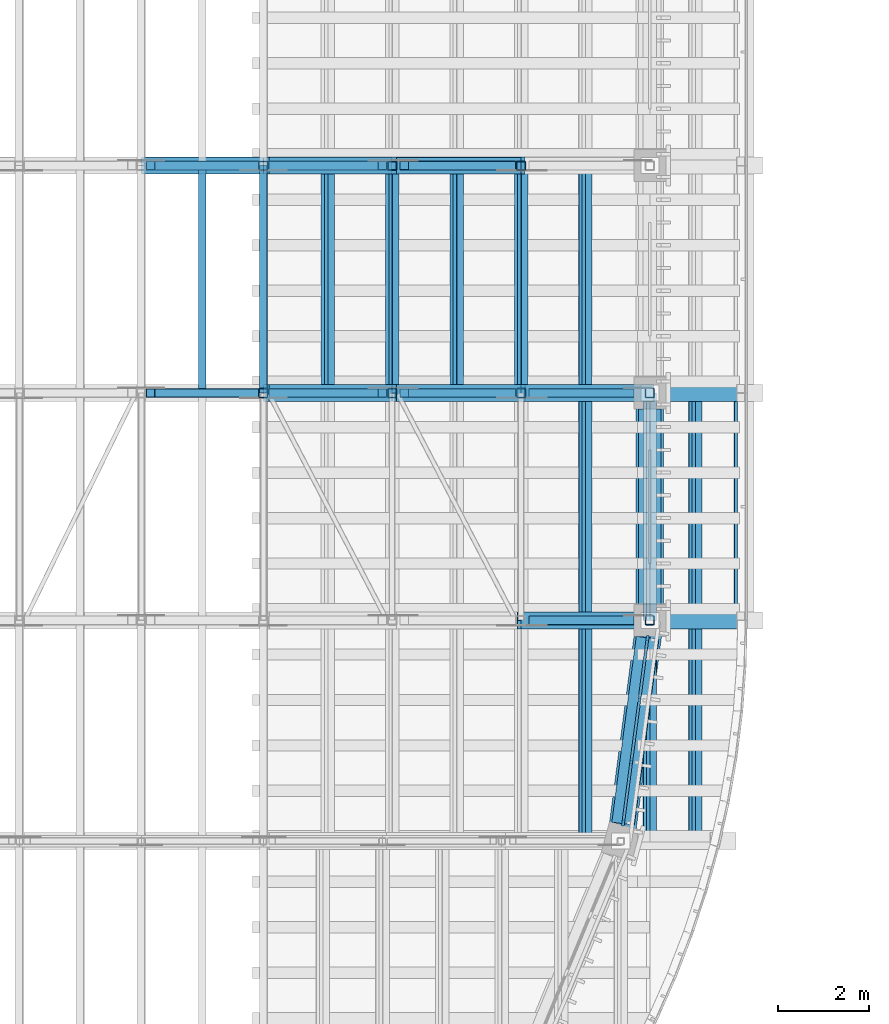
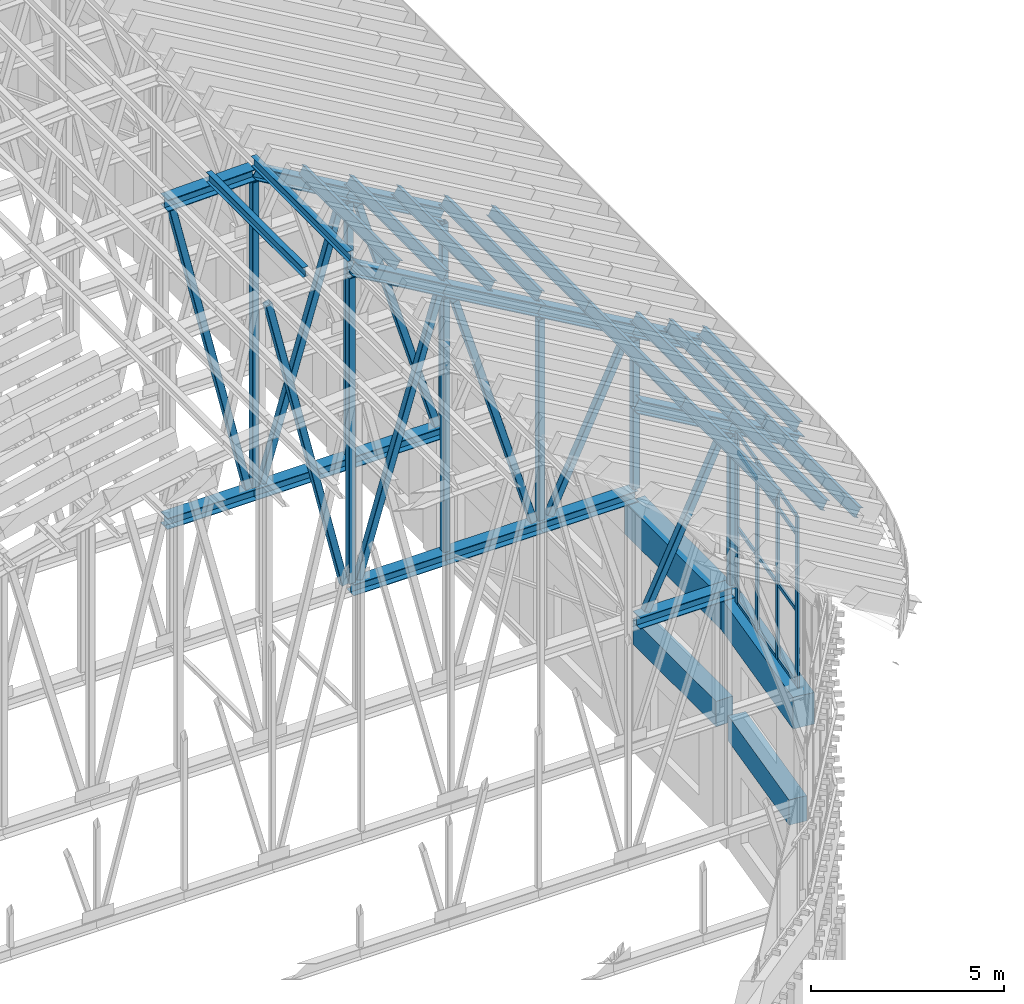
# One storey, part 15 of 105: 62 members, 4 beams, 1 element without a shape of its own.
"""IFC4 building model written with IfcOpenShell, lengths in metres."""

import ifcopenshell
import ifcopenshell.guid

model = None  # the IFC model being written
_history = None  # IfcOwnerHistory: only IFC2X3 demands one
_inside = {}  # id of a spatial element -> (the spatial element, [elements in it])
_under = {}  # id of a project, library or spatial element -> (it, [spatial elements below it])
_declared = {}  # id of a project -> (the project, [libraries it declares])
_typed = {}  # id of a type object -> (the type object, [elements of that type])
_made_of = {}  # id of a material, layer set ... -> (it, [elements and type objects made of it])


def new_model(schema):
    """Start an empty IFC model of exactly this schema.

    Asked for "IFC4X3", IfcOpenShell would pick the latest addendum, in which some entities
    have other attributes; the version numbers below select the first issue.
    IFC2X3 requires an IfcOwnerHistory on every rooted entity: one is made here for all.
    """
    global model, _history
    if schema == "IFC4X3":
        model = ifcopenshell.file(schema_version=(4, 3, 0, 0))
    else:
        model = ifcopenshell.file(schema=schema)
    _inside.clear()
    _under.clear()
    _declared.clear()
    _typed.clear()
    _made_of.clear()
    _history = None
    if model.schema == "IFC2X3":
        org = make("IfcOrganization", Name="unknown")
        user = make(
            "IfcPersonAndOrganization",
            ThePerson=make("IfcPerson", FamilyName="unknown"),
            TheOrganization=org,
        )
        app = make(
            "IfcApplication",
            ApplicationDeveloper=org,
            Version="unknown",
            ApplicationFullName="unknown",
            ApplicationIdentifier="unknown",
        )
        _history = make(
            "IfcOwnerHistory",
            OwningUser=user,
            OwningApplication=app,
            ChangeAction="ADDED",
            CreationDate=0,
        )
    return model


def make(cls, **values):
    """One entity of the class cls with the attributes given. An attribute that is None is left unset."""
    return model.create_entity(
        cls, **{name: value for name, value in values.items() if value is not None}
    )


def rooted(cls, **values):
    """An entity with a GlobalId (a new one), such as an element, a storey or a relation."""
    return make(cls, GlobalId=ifcopenshell.guid.new(), OwnerHistory=_history, **values)


def si_unit(unit_type, name, prefix=None):
    """IfcSIUnit, for example si_unit("LENGTHUNIT", "METRE", prefix="MILLI")."""
    return make("IfcSIUnit", UnitType=unit_type, Prefix=prefix, Name=name)


def assignment(units):
    """IfcUnitAssignment: the units of a project."""
    return None if units is None else make("IfcUnitAssignment", Units=units)


def point(xyz):
    """IfcCartesianPoint."""
    return None if xyz is None else make("IfcCartesianPoint", Coordinates=xyz)


def direction(xyz):
    """IfcDirection."""
    return None if xyz is None else make("IfcDirection", DirectionRatios=xyz)


def frame(location, z_axis=None, x_axis=None):
    """IfcAxis2Placement3D, a coordinate frame: its origin and axes. An axis left out is left unset."""
    return make(
        "IfcAxis2Placement3D",
        Location=point(location),
        Axis=direction(z_axis),
        RefDirection=direction(x_axis),
    )


def frame_2d(location, x_axis=None):
    """IfcAxis2Placement2D, a coordinate frame in the plane: its origin and x axis."""
    return make(
        "IfcAxis2Placement2D", Location=point(location), RefDirection=direction(x_axis)
    )


def origin():
    """The frame at (0, 0, 0) with its axes left unset."""
    return frame((0.0, 0.0, 0.0))


def origin_2d():
    """The frame at (0, 0) in the plane with its x axis left unset."""
    return frame_2d((0.0, 0.0))


def place(relative_to, where):
    """IfcLocalPlacement: puts the frame where relative to a parent placement (None: the world)."""
    return make(
        "IfcLocalPlacement", PlacementRelTo=relative_to, RelativePlacement=where
    )


def context(
    kind, dimensions, precision=None, world=None, true_north=None, identifier=None
):
    """IfcGeometricRepresentationContext, for example the 3D "Model" context."""
    return make(
        "IfcGeometricRepresentationContext",
        ContextIdentifier=identifier,
        ContextType=kind,
        CoordinateSpaceDimension=dimensions,
        Precision=precision,
        WorldCoordinateSystem=world,
        TrueNorth=true_north,
    )


def subcontext(parent, identifier, kind, view, scale=None):
    """IfcGeometricRepresentationSubContext, for example "Body" below "Model"."""
    return make(
        "IfcGeometricRepresentationSubContext",
        ContextIdentifier=identifier,
        ContextType=kind,
        ParentContext=parent,
        TargetScale=scale,
        TargetView=view,
    )


def project(units=None, contexts=None):
    """IfcProject with its units and contexts."""
    return rooted(
        "IfcProject",
        Name="project",
        RepresentationContexts=contexts,
        UnitsInContext=assignment(units),
    )


def spatial(cls, under=None, at=None, **own):
    """A site, building, storey or space (cls), placed at a placement, below another one or the project."""
    s = rooted(cls, ObjectPlacement=at, **own)
    if under is not None:
        _under.setdefault(under.id(), (under, []))[1].append(s)
    return s


def profile(cls, at=None, kind="AREA", **sizes):
    """A parametric profile (cls). Its sizes go by their IFC names, for example OverallWidth=200.0."""
    return make(cls, ProfileType=kind, Position=at, **sizes)


def rectangle(**sizes):
    """IfcRectangleProfileDef."""
    return profile("IfcRectangleProfileDef", **sizes)


def hollow_rectangle(**sizes):
    """IfcRectangleHollowProfileDef."""
    return profile("IfcRectangleHollowProfileDef", **sizes)


def i_section(**sizes):
    """IfcIShapeProfileDef."""
    return profile("IfcIShapeProfileDef", **sizes)


def extrude(swept, where, along, depth):
    """IfcExtrudedAreaSolid: the profile swept, set in the frame where, extruded along a direction by depth."""
    return make(
        "IfcExtrudedAreaSolid",
        SweptArea=swept,
        Position=where,
        ExtrudedDirection=direction(along),
        Depth=depth,
    )


def shape(context_of_items, identifier, shape_type, items):
    """IfcShapeRepresentation: the items that make up one representation, for example the "Body"."""
    return make(
        "IfcShapeRepresentation",
        ContextOfItems=context_of_items,
        RepresentationIdentifier=identifier,
        RepresentationType=shape_type,
        Items=items,
    )


def material(Name=None, Category=None):
    """IfcMaterial."""
    return make("IfcMaterial", Name=Name, Category=Category)


def layer(
    of_material, thickness, ventilated=None, Name=None, Category=None, Priority=None
):
    """IfcMaterialLayer: one layer of a wall or slab, of a material (None: an air gap)."""
    return make(
        "IfcMaterialLayer",
        Material=of_material,
        LayerThickness=thickness,
        IsVentilated=ventilated,
        Name=Name,
        Category=Category,
        Priority=Priority,
    )


def layer_set(layers, Name=None):
    """IfcMaterialLayerSet."""
    return make("IfcMaterialLayerSet", MaterialLayers=layers, LayerSetName=Name)


def material_profile(
    of_material, cross_section, Name=None, Category=None, Priority=None
):
    """IfcMaterialProfile: a cross section and its material."""
    return make(
        "IfcMaterialProfile",
        Name=Name,
        Material=of_material,
        Profile=cross_section,
        Priority=Priority,
        Category=Category,
    )


def profile_set(profiles, Name=None, composite=None):
    """IfcMaterialProfileSet."""
    return make(
        "IfcMaterialProfileSet",
        Name=Name,
        MaterialProfiles=profiles,
        CompositeProfile=composite,
    )


def made_of(thing, what):
    """Note that an element or type object is made of a material, layer set ...; save() writes the relation."""
    if what is not None:
        _made_of.setdefault(what.id(), (what, []))[1].append(thing)
    return thing


def type_object(cls, material=None, **own):
    """A type object (cls), such as IfcWallType, which elements share."""
    return made_of(rooted(cls, **own), material)


def element(
    cls,
    number,
    at=None,
    inside=None,
    cuts=None,
    type_object=None,
    material=None,
    context=None,
    identifier="Body",
    shape_type=None,
    held_by="IfcProductDefinitionShape",
    body=None,
    shapes=None,
    **own,
):
    """One element of the class cls, such as IfcWall. Its Tag is "e" and its number.

    at: its placement. inside: the storey or other place that contains it. cuts: it is an
    opening in that element (IfcRelVoidsElement). A single representation is given by context,
    identifier, shape_type and body (its items); several are given by shapes. held_by: the class
    of the entity that holds the representations. save() writes the other relations.
    """
    e = rooted(cls, Tag="e%d" % number, ObjectPlacement=at, **own)
    if body is not None:
        shapes = [shape(context, identifier, shape_type, body)]
    if shapes is not None:
        e.Representation = make(held_by, Representations=shapes)
    if inside is not None:
        _inside.setdefault(inside.id(), (inside, []))[1].append(e)
    if cuts is not None:
        rooted(
            "IfcRelVoidsElement", RelatingBuildingElement=cuts, RelatedOpeningElement=e
        )
    if type_object is not None:
        _typed.setdefault(type_object.id(), (type_object, []))[1].append(e)
    return made_of(e, material)


def aggregate(whole, parts):
    """IfcRelAggregates: a whole, such as a stair, and the parts it consists of."""
    return rooted("IfcRelAggregates", RelatingObject=whole, RelatedObjects=parts)


def save(model, path):
    """Write the relations noted so far, then the file.

    IfcRelAggregates (storeys below a building ...), IfcRelContainedInSpatialStructure (elements
    in a storey), IfcRelDefinesByType, IfcRelAssociatesMaterial and IfcRelDeclares: one each for
    every whole, place, type object, material and project.
    """
    for whole, parts in _under.values():
        aggregate(whole, parts)
    for where, things in _inside.values():
        rooted(
            "IfcRelContainedInSpatialStructure",
            RelatedElements=things,
            RelatingStructure=where,
        )
    for kind, things in _typed.values():
        rooted("IfcRelDefinesByType", RelatedObjects=things, RelatingType=kind)
    for what, things in _made_of.values():
        rooted("IfcRelAssociatesMaterial", RelatedObjects=things, RelatingMaterial=what)
    for by, libraries in _declared.values():
        rooted("IfcRelDeclares", RelatingContext=by, RelatedDefinitions=libraries)
    model.write(path)


model = new_model("IFC4")

# Units and contexts
model_context = context("Model", 3, precision=1e-05, world=origin(), true_north=direction((0.0, 1.0)))
body_context = subcontext(model_context, "Body", "Model", "MODEL_VIEW")
ifc_project = project(units=[si_unit("LENGTHUNIT", "METRE"), si_unit("AREAUNIT", "SQUARE_METRE"), si_unit("VOLUMEUNIT", "CUBIC_METRE"), si_unit("PLANEANGLEUNIT", "RADIAN"), si_unit("MASSUNIT", "GRAM", prefix="KILO")], contexts=[model_context])

# Site, building, storey
site_placement = place(None, origin())
site = spatial("IfcSite", under=ifc_project, at=site_placement, CompositionType="ELEMENT")
building_placement = place(site_placement, origin())
building = spatial("IfcBuilding", under=site, at=building_placement, Name="Wasatch Bagh Community Centre", CompositionType="ELEMENT")
storey_placement = place(building_placement, frame((0.0, 0.0, 16.800048828125)))
storey = spatial("IfcBuildingStorey", under=building, at=storey_placement, Name="L04", CompositionType="ELEMENT", Elevation=16.800048828125)

# Members
ifc_material_1 = material(Name="ASTM A500 Grade C steel", Category="steel")
ifc_material_profile_1 = material_profile(ifc_material_1, hollow_rectangle(XDim=0.203125, YDim=0.203125, WallThickness=0.01171875, InnerFilletRadius=0.01171875, OuterFilletRadius=0.023681640625, at=origin_2d()), Name="HSS8x8x1/2")
ifc_profile_set_1 = profile_set([ifc_material_profile_1], Name="ASTM A500 Grade C steel")
member_type_1 = type_object("IfcMemberType", Name="HSS8x8x1/2 post", PredefinedType="POST", material=ifc_profile_set_1)
member_1_placement = place(storey_placement, frame((54.75, 35.0, 8.070556640625), z_axis=(0.0, 0.0, 1.0), x_axis=(1.0, 0.0, 0.0)))
element("IfcMember", 1, at=member_1_placement, inside=storey, type_object=member_type_1, Name="MH.TA1.PS16", PredefinedType="POST", context=body_context, shape_type="SweptSolid", body=[
    extrude(hollow_rectangle(XDim=0.203125, YDim=0.203125, WallThickness=0.01171875, InnerFilletRadius=0.01171875, OuterFilletRadius=0.023681640625, at=origin_2d()), origin(), (0.0, 0.0, 1.0), 4.690673828125),
])
member_2_placement = place(storey_placement, frame((46.25, 40.0, 8.070556640625), z_axis=(0.0, 0.0, 1.0), x_axis=(1.0, 0.0, 0.0)))
element("IfcMember", 2, at=member_2_placement, inside=storey, type_object=member_type_1, Name="MH.TA2.PS13", PredefinedType="POST", context=body_context, shape_type="SweptSolid", body=[
    extrude(hollow_rectangle(XDim=0.203125, YDim=0.203125, WallThickness=0.01171875, InnerFilletRadius=0.01171875, OuterFilletRadius=0.023681640625, at=origin_2d()), origin(), (0.0, 0.0, 1.0), 9.64501953125),
])
member_3_placement = place(storey_placement, frame((49.083251953125, 40.0, 8.070556640625), z_axis=(0.0, 0.0, 1.0), x_axis=(1.0, 0.0, 0.0)))
element("IfcMember", 3, at=member_3_placement, inside=storey, type_object=member_type_1, Name="MH.TA2.PS14", PredefinedType="POST", context=body_context, shape_type="SweptSolid", body=[
    extrude(hollow_rectangle(XDim=0.203125, YDim=0.203125, WallThickness=0.01171875, InnerFilletRadius=0.01171875, OuterFilletRadius=0.023681640625, at=origin_2d()), origin(), (0.0, 0.0, 1.0), 8.007568359375),
])
member_4_placement = place(storey_placement, frame((51.916748046875, 40.0, 8.070556640625), z_axis=(0.0, 0.0, 1.0), x_axis=(1.0, 0.0, 0.0)))
element("IfcMember", 4, at=member_4_placement, inside=storey, type_object=member_type_1, Name="MH.TA2.PS15", PredefinedType="POST", context=body_context, shape_type="SweptSolid", body=[
    extrude(hollow_rectangle(XDim=0.203125, YDim=0.203125, WallThickness=0.01171875, InnerFilletRadius=0.01171875, OuterFilletRadius=0.023681640625, at=origin_2d()), origin(), (0.0, 0.0, 1.0), 6.34912109375),
])
member_5_placement = place(storey_placement, frame((54.75, 40.0, 8.070556640625), z_axis=(0.0, 0.0, 1.0), x_axis=(1.0, 0.0, 0.0)))
element("IfcMember", 5, at=member_5_placement, inside=storey, type_object=member_type_1, Name="MH.TA2.PS16", PredefinedType="POST", context=body_context, shape_type="SweptSolid", body=[
    extrude(hollow_rectangle(XDim=0.203125, YDim=0.203125, WallThickness=0.01171875, InnerFilletRadius=0.01171875, OuterFilletRadius=0.023681640625, at=origin_2d()), origin(), (0.0, 0.0, 1.0), 4.690673828125),
])
member_6_placement = place(storey_placement, frame((46.25, 45.0, 8.070556640625), z_axis=(0.0, 0.0, 1.0), x_axis=(1.0, 0.0, 0.0)))
element("IfcMember", 6, at=member_6_placement, inside=storey, type_object=member_type_1, Name="MH.TA3.PS13", PredefinedType="POST", context=body_context, shape_type="SweptSolid", body=[
    extrude(hollow_rectangle(XDim=0.203125, YDim=0.203125, WallThickness=0.01171875, InnerFilletRadius=0.01171875, OuterFilletRadius=0.023681640625, at=origin_2d()), origin(), (0.0, 0.0, 1.0), 9.64501953125),
])
member_7_placement = place(storey_placement, frame((49.083251953125, 45.0, 8.070556640625), z_axis=(0.0, 0.0, 1.0), x_axis=(1.0, 0.0, 0.0)))
element("IfcMember", 7, at=member_7_placement, inside=storey, type_object=member_type_1, Name="MH.TA3.PS14", PredefinedType="POST", context=body_context, shape_type="SweptSolid", body=[
    extrude(hollow_rectangle(XDim=0.203125, YDim=0.203125, WallThickness=0.01171875, InnerFilletRadius=0.01171875, OuterFilletRadius=0.023681640625, at=origin_2d()), origin(), (0.0, 0.0, 1.0), 8.007568359375),
])
member_8_placement = place(storey_placement, frame((51.916748046875, 45.0, 8.070556640625), z_axis=(0.0, 0.0, 1.0), x_axis=(1.0, 0.0, 0.0)))
element("IfcMember", 8, at=member_8_placement, inside=storey, type_object=member_type_1, Name="MH.TA3.PS15", PredefinedType="POST", context=body_context, shape_type="SweptSolid", body=[
    extrude(hollow_rectangle(XDim=0.203125, YDim=0.203125, WallThickness=0.01171875, InnerFilletRadius=0.01171875, OuterFilletRadius=0.023681640625, at=origin_2d()), origin(), (0.0, 0.0, 1.0), 6.34912109375),
])
ifc_material_profile_2 = material_profile(ifc_material_1, hollow_rectangle(XDim=0.203125, YDim=0.203125, WallThickness=0.0087890625, InnerFilletRadius=0.0087890625, OuterFilletRadius=0.017822265625, at=origin_2d()), Name="HSS8x8x3/8")
ifc_profile_set_2 = profile_set([ifc_material_profile_2], Name="ASTM A500 Grade C steel")
member_type_2 = type_object("IfcMemberType", Name="HSS8x8x3/8 brace", PredefinedType="BRACE", material=ifc_profile_set_2)
member_9_placement = place(storey_placement, frame((52.182373046875, 35.0, 8.11474609375), z_axis=(0.429834746182, 0.0, 0.902907576098), x_axis=(0.0, 1.0, 0.0)))
element("IfcMember", 9, at=member_9_placement, inside=storey, type_object=member_type_2, Name="MH.TA1.WB15", PredefinedType="BRACE", context=body_context, shape_type="SweptSolid", body=[
    extrude(hollow_rectangle(XDim=0.203125, YDim=0.203125, WallThickness=0.0087890625, InnerFilletRadius=0.0087890625, OuterFilletRadius=0.017822265625, at=origin_2d()), origin(), (0.0, 0.0, 1.0), 5.36962890625),
])
member_10_placement = place(storey_placement, frame((46.047607421875, 40.0, 8.094482421875), z_axis=(-0.229781671389, 0.0, 0.973242201866), x_axis=(0.0, -1.0, 0.0)))
element("IfcMember", 10, at=member_10_placement, inside=storey, type_object=member_type_2, Name="MH.TA2.WB12", PredefinedType="BRACE", context=body_context, shape_type="SweptSolid", body=[
    extrude(hollow_rectangle(XDim=0.203125, YDim=0.203125, WallThickness=0.0087890625, InnerFilletRadius=0.0087890625, OuterFilletRadius=0.017822265625, at=origin_2d()), origin(), (0.0, 0.0, 1.0), 9.916259765625),
])
member_11_placement = place(storey_placement, frame((46.466796875, 40.0, 8.099853515625), z_axis=(0.28291893223, 0.0, 0.959143825391), x_axis=(0.0, 1.0, 0.0)))
element("IfcMember", 11, at=member_11_placement, inside=storey, type_object=member_type_2, Name="MH.TA2.WB13", PredefinedType="BRACE", context=body_context, shape_type="SweptSolid", body=[
    extrude(hollow_rectangle(XDim=0.203125, YDim=0.203125, WallThickness=0.0087890625, InnerFilletRadius=0.0087890625, OuterFilletRadius=0.017822265625, at=origin_2d()), origin(), (0.0, 0.0, 1.0), 8.481689453125),
])
member_12_placement = place(storey_placement, frame((51.698486328125, 40.0, 8.100341796875), z_axis=(-0.28855246331, 0.0, 0.957464085967), x_axis=(0.0, -1.0, 0.0)))
element("IfcMember", 12, at=member_12_placement, inside=storey, type_object=member_type_2, Name="MH.TA2.WB14", PredefinedType="BRACE", context=body_context, shape_type="SweptSolid", body=[
    extrude(hollow_rectangle(XDim=0.203125, YDim=0.203125, WallThickness=0.0087890625, InnerFilletRadius=0.0087890625, OuterFilletRadius=0.017822265625, at=origin_2d()), origin(), (0.0, 0.0, 1.0), 8.142822265625),
])
member_13_placement = place(storey_placement, frame((52.182373046875, 40.0, 8.11474609375), z_axis=(0.429834746182, 0.0, 0.902907576098), x_axis=(0.0, 1.0, 0.0)))
element("IfcMember", 13, at=member_13_placement, inside=storey, type_object=member_type_2, Name="MH.TA2.WB15", PredefinedType="BRACE", context=body_context, shape_type="SweptSolid", body=[
    extrude(hollow_rectangle(XDim=0.203125, YDim=0.203125, WallThickness=0.0087890625, InnerFilletRadius=0.0087890625, OuterFilletRadius=0.017822265625, at=origin_2d()), origin(), (0.0, 0.0, 1.0), 5.36962890625),
])
member_14_placement = place(storey_placement, frame((46.047607421875, 45.0, 8.094482421875), z_axis=(-0.229781671389, 0.0, 0.973242201866), x_axis=(0.0, -1.0, 0.0)))
element("IfcMember", 14, at=member_14_placement, inside=storey, type_object=member_type_2, Name="MH.TA3.WB12", PredefinedType="BRACE", context=body_context, shape_type="SweptSolid", body=[
    extrude(hollow_rectangle(XDim=0.203125, YDim=0.203125, WallThickness=0.0087890625, InnerFilletRadius=0.0087890625, OuterFilletRadius=0.017822265625, at=origin_2d()), origin(), (0.0, 0.0, 1.0), 9.916259765625),
])
member_15_placement = place(storey_placement, frame((46.466796875, 45.0, 8.099853515625), z_axis=(0.28291893223, 0.0, 0.959143825391), x_axis=(0.0, 1.0, 0.0)))
element("IfcMember", 15, at=member_15_placement, inside=storey, type_object=member_type_2, Name="MH.TA3.WB13", PredefinedType="BRACE", context=body_context, shape_type="SweptSolid", body=[
    extrude(hollow_rectangle(XDim=0.203125, YDim=0.203125, WallThickness=0.0087890625, InnerFilletRadius=0.0087890625, OuterFilletRadius=0.017822265625, at=origin_2d()), origin(), (0.0, 0.0, 1.0), 8.481689453125),
])
member_16_placement = place(storey_placement, frame((51.698486328125, 45.0, 8.100341796875), z_axis=(-0.28855246331, 0.0, 0.957464085967), x_axis=(0.0, -1.0, 0.0)))
element("IfcMember", 16, at=member_16_placement, inside=storey, type_object=member_type_2, Name="MH.TA3.WB14", PredefinedType="BRACE", context=body_context, shape_type="SweptSolid", body=[
    extrude(hollow_rectangle(XDim=0.203125, YDim=0.203125, WallThickness=0.0087890625, InnerFilletRadius=0.0087890625, OuterFilletRadius=0.017822265625, at=origin_2d()), origin(), (0.0, 0.0, 1.0), 8.142822265625),
])

# Curtain wall, members
ifc_material_2 = material(Name="Aluminium curtain wall frame with low-iron glass", Category="aluminium")
ifc_layer = layer(ifc_material_2, 0.10009765625)
ifc_layer_set = layer_set([ifc_layer], Name="Aluminium curtain wall frame with low-iron glass")
curtain_wall_type = type_object("IfcCurtainWallType", Name="MH end screen curtain wall 9", PredefinedType="NOTDEFINED", material=ifc_layer_set)
curtain_wall_placement = place(storey_placement, origin())
curtain_wall = element("IfcCurtainWall", 17, at=curtain_wall_placement, inside=storey, type_object=curtain_wall_type, Name="End screen 12", PredefinedType="NOTDEFINED")
ifc_material_3 = material(Name="Aluminium extrusion", Category="aluminium")
ifc_material_profile_3 = material_profile(ifc_material_3, rectangle(XDim=0.06005859375, YDim=0.159912109375, at=origin_2d()), Name="AL 60x160")
ifc_profile_set_3 = profile_set([ifc_material_profile_3], Name="Aluminium extrusion")
member_type_3 = type_object("IfcMemberType", Name="MH end screen mullion 60x160", PredefinedType="MULLION", material=ifc_profile_set_3)
member_17_placement = place(storey_placement, frame((54.16552734375, 30.56005859375, 7.699951171875), z_axis=(0.0, 0.0, 1.0), x_axis=(-0.991444861374, 0.13052619222, 0.0)))
member_17 = element("IfcMember", 18, at=member_17_placement, type_object=member_type_3, Name="MH-CW9 mullion 1", PredefinedType="MULLION", context=body_context, shape_type="SweptSolid", body=[
    extrude(rectangle(XDim=0.06005859375, YDim=0.159912109375, at=origin_2d()), origin(), (0.0, 0.0, 1.0), 5.39990234375),
])
member_18_placement = place(storey_placement, frame((54.3408203125, 31.892578125, 7.699951171875), z_axis=(0.0, 0.0, 1.0), x_axis=(-0.991444861374, 0.13052619222, 0.0)))
member_18 = element("IfcMember", 19, at=member_18_placement, type_object=member_type_3, Name="MH-CW9 mullion 2", PredefinedType="MULLION", context=body_context, shape_type="SweptSolid", body=[
    extrude(rectangle(XDim=0.06005859375, YDim=0.159912109375, at=origin_2d()), origin(), (0.0, 0.0, 1.0), 5.39990234375),
])
member_19_placement = place(storey_placement, frame((54.520263671875, 33.254638671875, 7.699951171875), z_axis=(0.0, 0.0, 1.0), x_axis=(-0.991444861374, 0.13052619222, 0.0)))
member_19 = element("IfcMember", 20, at=member_19_placement, type_object=member_type_3, Name="MH-CW9 mullion 3", PredefinedType="MULLION", context=body_context, shape_type="SweptSolid", body=[
    extrude(rectangle(XDim=0.06005859375, YDim=0.159912109375, at=origin_2d()), origin(), (0.0, 0.0, 1.0), 5.39990234375),
])
member_20_placement = place(storey_placement, frame((54.695556640625, 34.587158203125, 7.699951171875), z_axis=(0.0, 0.0, 1.0), x_axis=(-0.991444861374, 0.13052619222, 0.0)))
member_20 = element("IfcMember", 21, at=member_20_placement, type_object=member_type_3, Name="MH-CW9 mullion 4", PredefinedType="MULLION", context=body_context, shape_type="SweptSolid", body=[
    extrude(rectangle(XDim=0.06005859375, YDim=0.159912109375, at=origin_2d()), origin(), (0.0, 0.0, 1.0), 5.39990234375),
])
ifc_material_profile_4 = material_profile(ifc_material_3, rectangle(XDim=0.06005859375, YDim=0.1201171875, at=origin_2d()), Name="AL 60x120")
ifc_profile_set_4 = profile_set([ifc_material_profile_4], Name="Aluminium extrusion")
member_type_4 = type_object("IfcMemberType", Name="MH end screen transom 60x120", PredefinedType="USERDEFINED", material=ifc_profile_set_4)
member_21_placement = place(storey_placement, frame((54.16943359375, 30.58984375, 7.72998046875), z_axis=(0.130444674855, 0.991455589929, 0.0), x_axis=(-0.991455589929, 0.130444674855, 0.0)))
member_21 = element("IfcMember", 22, at=member_21_placement, type_object=member_type_4, Name="MH-CW9 transom 1.1", ObjectType="TRANSOM", PredefinedType="USERDEFINED", context=body_context, shape_type="SweptSolid", body=[
    extrude(rectangle(XDim=0.06005859375, YDim=0.1201171875, at=origin_2d()), origin(), (0.0, 0.0, 1.0), 1.283935546875),
])
member_22_placement = place(storey_placement, frame((54.16943359375, 30.58984375, 10.099853515625), z_axis=(0.130444674855, 0.991455589929, 0.0), x_axis=(-0.991455589929, 0.130444674855, 0.0)))
member_22 = element("IfcMember", 23, at=member_22_placement, type_object=member_type_4, Name="MH-CW9 transom 1.2", ObjectType="TRANSOM", PredefinedType="USERDEFINED", context=body_context, shape_type="SweptSolid", body=[
    extrude(rectangle(XDim=0.06005859375, YDim=0.1201171875, at=origin_2d()), origin(), (0.0, 0.0, 1.0), 1.283935546875),
])
member_23_placement = place(storey_placement, frame((54.16943359375, 30.58984375, 12.5), z_axis=(0.130444674855, 0.991455589929, 0.0), x_axis=(-0.991455589929, 0.130444674855, 0.0)))
member_23 = element("IfcMember", 24, at=member_23_placement, type_object=member_type_4, Name="MH-CW9 transom 1.3", ObjectType="TRANSOM", PredefinedType="USERDEFINED", context=body_context, shape_type="SweptSolid", body=[
    extrude(rectangle(XDim=0.06005859375, YDim=0.1201171875, at=origin_2d()), origin(), (0.0, 0.0, 1.0), 1.283935546875),
])
member_24_placement = place(storey_placement, frame((54.16943359375, 30.58984375, 13.070068359375), z_axis=(0.130444674855, 0.991455589929, 0.0), x_axis=(-0.991455589929, 0.130444674855, 0.0)))
member_24 = element("IfcMember", 25, at=member_24_placement, type_object=member_type_4, Name="MH-CW9 transom 1.4", ObjectType="TRANSOM", PredefinedType="USERDEFINED", context=body_context, shape_type="SweptSolid", body=[
    extrude(rectangle(XDim=0.06005859375, YDim=0.1201171875, at=origin_2d()), origin(), (0.0, 0.0, 1.0), 1.283935546875),
])
member_25_placement = place(storey_placement, frame((54.3447265625, 31.922119140625, 7.72998046875), z_axis=(0.130617924389, 0.991432780287, 0.0), x_axis=(-0.991432780287, 0.130617924389, 0.0)))
member_25 = element("IfcMember", 26, at=member_25_placement, type_object=member_type_4, Name="MH-CW9 transom 2.1", ObjectType="TRANSOM", PredefinedType="USERDEFINED", context=body_context, shape_type="SweptSolid", body=[
    extrude(rectangle(XDim=0.06005859375, YDim=0.1201171875, at=origin_2d()), origin(), (0.0, 0.0, 1.0), 1.31396484375),
])
member_26_placement = place(storey_placement, frame((54.3447265625, 31.922119140625, 10.099853515625), z_axis=(0.130617924389, 0.991432780287, 0.0), x_axis=(-0.991432780287, 0.130617924389, 0.0)))
member_26 = element("IfcMember", 27, at=member_26_placement, type_object=member_type_4, Name="MH-CW9 transom 2.2", ObjectType="TRANSOM", PredefinedType="USERDEFINED", context=body_context, shape_type="SweptSolid", body=[
    extrude(rectangle(XDim=0.06005859375, YDim=0.1201171875, at=origin_2d()), origin(), (0.0, 0.0, 1.0), 1.31396484375),
])
member_27_placement = place(storey_placement, frame((54.3447265625, 31.922119140625, 12.5), z_axis=(0.130617924389, 0.991432780287, 0.0), x_axis=(-0.991432780287, 0.130617924389, 0.0)))
member_27 = element("IfcMember", 28, at=member_27_placement, type_object=member_type_4, Name="MH-CW9 transom 2.3", ObjectType="TRANSOM", PredefinedType="USERDEFINED", context=body_context, shape_type="SweptSolid", body=[
    extrude(rectangle(XDim=0.06005859375, YDim=0.1201171875, at=origin_2d()), origin(), (0.0, 0.0, 1.0), 1.31396484375),
])
member_28_placement = place(storey_placement, frame((54.3447265625, 31.922119140625, 13.070068359375), z_axis=(0.130617924389, 0.991432780287, 0.0), x_axis=(-0.991432780287, 0.130617924389, 0.0)))
member_28 = element("IfcMember", 29, at=member_28_placement, type_object=member_type_4, Name="MH-CW9 transom 2.4", ObjectType="TRANSOM", PredefinedType="USERDEFINED", context=body_context, shape_type="SweptSolid", body=[
    extrude(rectangle(XDim=0.06005859375, YDim=0.1201171875, at=origin_2d()), origin(), (0.0, 0.0, 1.0), 1.31396484375),
])
member_29_placement = place(storey_placement, frame((54.524169921875, 33.284423828125, 7.72998046875), z_axis=(0.130444674855, 0.991455589929, 0.0), x_axis=(-0.991455589929, 0.130444674855, 0.0)))
member_29 = element("IfcMember", 30, at=member_29_placement, type_object=member_type_4, Name="MH-CW9 transom 3.1", ObjectType="TRANSOM", PredefinedType="USERDEFINED", context=body_context, shape_type="SweptSolid", body=[
    extrude(rectangle(XDim=0.06005859375, YDim=0.1201171875, at=origin_2d()), origin(), (0.0, 0.0, 1.0), 1.283935546875),
])
member_30_placement = place(storey_placement, frame((54.524169921875, 33.284423828125, 10.099853515625), z_axis=(0.130444674855, 0.991455589929, 0.0), x_axis=(-0.991455589929, 0.130444674855, 0.0)))
member_30 = element("IfcMember", 31, at=member_30_placement, type_object=member_type_4, Name="MH-CW9 transom 3.2", ObjectType="TRANSOM", PredefinedType="USERDEFINED", context=body_context, shape_type="SweptSolid", body=[
    extrude(rectangle(XDim=0.06005859375, YDim=0.1201171875, at=origin_2d()), origin(), (0.0, 0.0, 1.0), 1.283935546875),
])
member_31_placement = place(storey_placement, frame((54.524169921875, 33.284423828125, 12.5), z_axis=(0.130444674855, 0.991455589929, 0.0), x_axis=(-0.991455589929, 0.130444674855, 0.0)))
member_31 = element("IfcMember", 32, at=member_31_placement, type_object=member_type_4, Name="MH-CW9 transom 3.3", ObjectType="TRANSOM", PredefinedType="USERDEFINED", context=body_context, shape_type="SweptSolid", body=[
    extrude(rectangle(XDim=0.06005859375, YDim=0.1201171875, at=origin_2d()), origin(), (0.0, 0.0, 1.0), 1.283935546875),
])
member_32_placement = place(storey_placement, frame((54.524169921875, 33.284423828125, 13.070068359375), z_axis=(0.130444674855, 0.991455589929, 0.0), x_axis=(-0.991455589929, 0.130444674855, 0.0)))
member_32 = element("IfcMember", 33, at=member_32_placement, type_object=member_type_4, Name="MH-CW9 transom 3.4", ObjectType="TRANSOM", PredefinedType="USERDEFINED", context=body_context, shape_type="SweptSolid", body=[
    extrude(rectangle(XDim=0.06005859375, YDim=0.1201171875, at=origin_2d()), origin(), (0.0, 0.0, 1.0), 1.283935546875),
])
aggregate(curtain_wall, [member_17, member_18, member_19, member_20, member_21, member_22, member_23, member_24, member_25, member_26, member_27, member_28, member_29, member_30, member_31, member_32])

# Beams
ifc_material_4 = material(Name="Concrete C35", Category="concrete")
ifc_material_profile_5 = material_profile(ifc_material_4, rectangle(XDim=0.5, YDim=0.800048828125, at=origin_2d()), Name="RC 500x800")
ifc_profile_set_5 = profile_set([ifc_material_profile_5], Name="Concrete C35")
beam_type_1 = type_object("IfcBeamType", Name="MH ring beam RC 500x800", PredefinedType="BEAM", material=ifc_profile_set_5)
beam_1_placement = place(storey_placement, frame((54.16162109375, 30.5302734375, 3.800048828125), z_axis=(0.130483623501, 0.991450464722, 0.0), x_axis=(-0.991450464722, 0.130483623501, 0.0)))
element("IfcBeam", 34, at=beam_1_placement, inside=storey, type_object=beam_type_1, Name="Ring beam 21.0 S11-E1", PredefinedType="BEAM", context=body_context, shape_type="SweptSolid", body=[
    extrude(rectangle(XDim=0.5, YDim=0.800048828125, at=origin_2d()), origin(), (0.0, 0.0, 1.0), 4.121826171875),
])
beam_2_placement = place(storey_placement, frame((54.75, 35.3505859375, 3.800048828125), z_axis=(0.0, 1.0, 0.0), x_axis=(-1.0, 0.0, 0.0)))
element("IfcBeam", 35, at=beam_2_placement, inside=storey, type_object=beam_type_1, Name="Ring beam 21.0 E1-E2", PredefinedType="BEAM", context=body_context, shape_type="SweptSolid", body=[
    extrude(rectangle(XDim=0.5, YDim=0.800048828125, at=origin_2d()), origin(), (0.0, 0.0, 1.0), 4.298828125),
])
ifc_material_profile_6 = material_profile(ifc_material_4, rectangle(XDim=0.60009765625, YDim=1.0, at=origin_2d()), Name="RC 600x1000")
ifc_profile_set_6 = profile_set([ifc_material_profile_6], Name="Concrete C35")
beam_type_2 = type_object("IfcBeamType", Name="MH ring beam RC 600x1000", PredefinedType="BEAM", material=ifc_profile_set_6)
beam_3_placement = place(storey_placement, frame((54.111083984375, 30.147216796875, 7.199951171875), z_axis=(0.130533218363, 0.991443936339, 0.0), x_axis=(-0.991443936339, 0.130533218363, 0.0)))
element("IfcBeam", 36, at=beam_3_placement, inside=storey, type_object=beam_type_2, Name="Ring beam 24.5 S11-E1", PredefinedType="BEAM", context=body_context, shape_type="SweptSolid", body=[
    extrude(rectangle(XDim=0.60009765625, YDim=1.0, at=origin_2d()), origin(), (0.0, 0.0, 1.0), 4.894775390625),
])
beam_4_placement = place(storey_placement, frame((54.75, 35.0, 7.199951171875), z_axis=(0.0, 1.0, 0.0), x_axis=(-1.0, 0.0, 0.0)))
element("IfcBeam", 37, at=beam_4_placement, inside=storey, type_object=beam_type_2, Name="Ring beam 24.5 E1-E2", PredefinedType="BEAM", context=body_context, shape_type="SweptSolid", body=[
    extrude(rectangle(XDim=0.60009765625, YDim=1.0, at=origin_2d()), origin(), (0.0, 0.0, 1.0), 5.0),
])

# Members
ifc_material_5 = material(Name="ASTM A992 Grade 50 steel", Category="steel")
ifc_material_profile_7 = material_profile(ifc_material_5, i_section(OverallWidth=0.164794921875, OverallDepth=0.309814453125, WebThickness=0.005859375, FlangeThickness=0.009765625, at=origin_2d()), Name="W12x26")
ifc_profile_set_7 = profile_set([ifc_material_profile_7], Name="ASTM A992 Grade 50 steel")
member_type_5 = type_object("IfcMemberType", Name="W12x26 purlin", PredefinedType="PURLIN", material=ifc_profile_set_7)
for number, where, z_axis, x_axis, name in (
    (38, (53.333251953125, 30.147216796875, 14.289306640625), (0.0, 1.0, 0.0), (-0.866025403784, 0.0, 0.5), "MH.TS1-TA1.PU30"),
    (39, (54.75, 30.147216796875, 13.471435546875), (0.0, 1.0, 0.0), (-0.866025403784, 0.0, 0.5), "MH.TS1-TA1.PU31"),
    (40, (55.75, 30.147216796875, 12.89404296875), (0.0, 1.0, 0.0), (-0.866025403784, 0.0, 0.5), "MH.TS1-TA1.PU32"),
):
    element("IfcMember", number, at=place(storey_placement, frame(where, z_axis=z_axis, x_axis=x_axis)), inside=storey, type_object=member_type_5, Name=name, PredefinedType="PURLIN", context=body_context, shape_type="SweptSolid", body=[
        extrude(i_section(OverallWidth=0.164794921875, OverallDepth=0.309814453125, WebThickness=0.005859375, FlangeThickness=0.009765625, at=origin_2d()), origin(), (0.0, 0.0, 1.0), 4.852783203125),
    ])
for number, where, z_axis, x_axis, name in (
    (41, (53.333251953125, 35.0, 14.289306640625), (0.0, 1.0, 0.0), (-0.866025403784, 0.0, 0.5), "MH.TA1-TA2.PU31"),
    (42, (54.75, 35.0, 13.471435546875), (0.0, 1.0, 0.0), (-0.866025403784, 0.0, 0.5), "MH.TA1-TA2.PU32"),
    (43, (55.75, 35.0, 12.89404296875), (0.0, 1.0, 0.0), (-0.866025403784, 0.0, 0.5), "MH.TA1-TA2.PU33"),
    (44, (56.75, 35.0, 12.316650390625), (0.0, 1.0, 0.0), (-0.866025403784, 0.0, 0.5), "MH.TA1-TA2.PU34"),
    (45, (44.907958984375, 40.0, 18.3203125), (0.0, 1.0, 0.0), (-0.999666689368, 0.0, -0.025816858198), "MH.TA2-TA3.PU25"),
    (46, (46.25, 40.0, 18.35498046875), (0.0, 1.0, 0.0), (-0.999666689368, 0.0, -0.025816858198), "MH.TA2-TA3.PU26"),
    (47, (47.666748046875, 40.0, 17.56103515625), (0.0, 1.0, 0.0), (-0.866025403784, 0.0, 0.5), "MH.TA2-TA3.PU27"),
    (48, (49.083251953125, 40.0, 16.742919921875), (0.0, 1.0, 0.0), (-0.866025403784, 0.0, 0.5), "MH.TA2-TA3.PU28"),
    (49, (50.5, 40.0, 15.925048828125), (0.0, 1.0, 0.0), (-0.866025403784, 0.0, 0.5), "MH.TA2-TA3.PU29"),
    (50, (51.916748046875, 40.0, 15.107177734375), (0.0, 1.0, 0.0), (-0.866025403784, 0.0, 0.5), "MH.TA2-TA3.PU30"),
    (51, (53.333251953125, 40.0, 14.289306640625), (0.0, 1.0, 0.0), (-0.866025403784, 0.0, 0.5), "MH.TA2-TA3.PU31"),
):
    element("IfcMember", number, at=place(storey_placement, frame(where, z_axis=z_axis, x_axis=x_axis)), inside=storey, type_object=member_type_5, Name=name, PredefinedType="PURLIN", context=body_context, shape_type="SweptSolid", body=[
        extrude(i_section(OverallWidth=0.164794921875, OverallDepth=0.309814453125, WebThickness=0.005859375, FlangeThickness=0.009765625, at=origin_2d()), origin(), (0.0, 0.0, 1.0), 5.0),
    ])
ifc_material_profile_8 = material_profile(ifc_material_5, i_section(OverallWidth=0.373291015625, OverallDepth=0.368408203125, WebThickness=0.014892578125, FlangeThickness=0.02392578125, at=origin_2d()), Name="W14x120")
ifc_profile_set_8 = profile_set([ifc_material_profile_8], Name="ASTM A992 Grade 50 steel")
member_type_6 = type_object("IfcMemberType", Name="W14x120 chord", PredefinedType="CHORD", material=ifc_profile_set_8)
member_33_placement = place(storey_placement, frame((51.9169921875, 35.0, 14.71533203125), z_axis=(0.866038908564, 0.0, -0.499976608306), x_axis=(0.0, 1.0, 0.0)))
element("IfcMember", 52, at=member_33_placement, inside=storey, type_object=member_type_6, Name="MH.TA1.TC17", PredefinedType="CHORD", context=body_context, shape_type="SweptSolid", body=[
    extrude(i_section(OverallWidth=0.373291015625, OverallDepth=0.368408203125, WebThickness=0.014892578125, FlangeThickness=0.02392578125, at=origin_2d()), origin(), (0.0, 0.0, 1.0), 3.270751953125),
])
member_34_placement = place(storey_placement, frame((54.75048828125, 35.0, 13.07958984375), z_axis=(0.866002450397, 0.0, -0.500039754326), x_axis=(0.0, 1.0, 0.0)))
element("IfcMember", 53, at=member_34_placement, inside=storey, type_object=member_type_6, Name="MH.TA1.TC18", PredefinedType="CHORD", context=body_context, shape_type="SweptSolid", body=[
    extrude(i_section(OverallWidth=0.373291015625, OverallDepth=0.368408203125, WebThickness=0.014892578125, FlangeThickness=0.02392578125, at=origin_2d()), origin(), (0.0, 0.0, 1.0), 2.308837890625),
])
member_35_placement = place(storey_placement, frame((46.295654296875, 40.0, 17.9833984375), z_axis=(0.863012861472, 0.0, -0.505181948345), x_axis=(0.0, 1.0, 0.0)))
element("IfcMember", 54, at=member_35_placement, inside=storey, type_object=member_type_6, Name="MH.TA2.TC15", PredefinedType="CHORD", context=body_context, shape_type="SweptSolid", body=[
    extrude(i_section(OverallWidth=0.373291015625, OverallDepth=0.368408203125, WebThickness=0.014892578125, FlangeThickness=0.02392578125, at=origin_2d()), origin(), (0.0, 0.0, 1.0), 3.229248046875),
])
member_36_placement = place(storey_placement, frame((49.084228515625, 40.0, 16.35107421875), z_axis=(0.866001581989, 0.0, -0.50004125829), x_axis=(0.0, 1.0, 0.0)))
element("IfcMember", 55, at=member_36_placement, inside=storey, type_object=member_type_6, Name="MH.TA2.TC16", PredefinedType="CHORD", context=body_context, shape_type="SweptSolid", body=[
    extrude(i_section(OverallWidth=0.373291015625, OverallDepth=0.368408203125, WebThickness=0.014892578125, FlangeThickness=0.02392578125, at=origin_2d()), origin(), (0.0, 0.0, 1.0), 3.270263671875),
])
member_37_placement = place(storey_placement, frame((51.9169921875, 40.0, 14.71533203125), z_axis=(0.866038908564, 0.0, -0.499976608306), x_axis=(0.0, 1.0, 0.0)))
element("IfcMember", 56, at=member_37_placement, inside=storey, type_object=member_type_6, Name="MH.TA2.TC17", PredefinedType="CHORD", context=body_context, shape_type="SweptSolid", body=[
    extrude(i_section(OverallWidth=0.373291015625, OverallDepth=0.368408203125, WebThickness=0.014892578125, FlangeThickness=0.02392578125, at=origin_2d()), origin(), (0.0, 0.0, 1.0), 3.270751953125),
])
member_38_placement = place(storey_placement, frame((54.75048828125, 40.0, 13.07958984375), z_axis=(0.866002450397, 0.0, -0.500039754326), x_axis=(0.0, 1.0, 0.0)))
element("IfcMember", 57, at=member_38_placement, inside=storey, type_object=member_type_6, Name="MH.TA2.TC18", PredefinedType="CHORD", context=body_context, shape_type="SweptSolid", body=[
    extrude(i_section(OverallWidth=0.373291015625, OverallDepth=0.368408203125, WebThickness=0.014892578125, FlangeThickness=0.02392578125, at=origin_2d()), origin(), (0.0, 0.0, 1.0), 2.308837890625),
])
member_39_placement = place(storey_placement, frame((43.571533203125, 45.0, 17.9462890625), z_axis=(0.999716831717, 0.0, 0.023796142159), x_axis=(0.0, 1.0, 0.0)))
element("IfcMember", 58, at=member_39_placement, inside=storey, type_object=member_type_6, Name="MH.TA3.TC14", PredefinedType="CHORD", context=body_context, shape_type="SweptSolid", body=[
    extrude(i_section(OverallWidth=0.373291015625, OverallDepth=0.368408203125, WebThickness=0.014892578125, FlangeThickness=0.02392578125, at=origin_2d()), origin(), (0.0, 0.0, 1.0), 2.62646484375),
])
member_40_placement = place(storey_placement, frame((46.295654296875, 45.0, 17.9833984375), z_axis=(0.863012861472, 0.0, -0.505181948345), x_axis=(0.0, 1.0, 0.0)))
element("IfcMember", 59, at=member_40_placement, inside=storey, type_object=member_type_6, Name="MH.TA3.TC15", PredefinedType="CHORD", context=body_context, shape_type="SweptSolid", body=[
    extrude(i_section(OverallWidth=0.373291015625, OverallDepth=0.368408203125, WebThickness=0.014892578125, FlangeThickness=0.02392578125, at=origin_2d()), origin(), (0.0, 0.0, 1.0), 3.229248046875),
])
member_41_placement = place(storey_placement, frame((49.084228515625, 45.0, 16.35107421875), z_axis=(0.866001581989, 0.0, -0.50004125829), x_axis=(0.0, 1.0, 0.0)))
element("IfcMember", 60, at=member_41_placement, inside=storey, type_object=member_type_6, Name="MH.TA3.TC16", PredefinedType="CHORD", context=body_context, shape_type="SweptSolid", body=[
    extrude(i_section(OverallWidth=0.373291015625, OverallDepth=0.368408203125, WebThickness=0.014892578125, FlangeThickness=0.02392578125, at=origin_2d()), origin(), (0.0, 0.0, 1.0), 3.270263671875),
])
ifc_material_profile_9 = material_profile(ifc_material_5, i_section(OverallWidth=0.368408203125, OverallDepth=0.355712890625, WebThickness=0.01123046875, FlangeThickness=0.01806640625, at=origin_2d()), Name="W14x90")
ifc_profile_set_9 = profile_set([ifc_material_profile_9], Name="ASTM A992 Grade 50 steel")
member_type_7 = type_object("IfcMemberType", Name="W14x90 chord", PredefinedType="CHORD", material=ifc_profile_set_9)
for number, where, z_axis, x_axis, name in (
    (61, (51.916748046875, 35.0, 7.892822265625), (1.0, 0.0, 0.0), (0.0, 1.0, 0.0), "MH.TA1.BC15"),
    (62, (46.25, 40.0, 7.892822265625), (1.0, 0.0, 0.0), (0.0, 1.0, 0.0), "MH.TA2.BC13"),
):
    element("IfcMember", number, at=place(storey_placement, frame(where, z_axis=z_axis, x_axis=x_axis)), inside=storey, type_object=member_type_7, Name=name, PredefinedType="CHORD", context=body_context, shape_type="SweptSolid", body=[
        extrude(i_section(OverallWidth=0.368408203125, OverallDepth=0.355712890625, WebThickness=0.01123046875, FlangeThickness=0.01806640625, at=origin_2d()), origin(), (0.0, 0.0, 1.0), 2.833251953125),
    ])
member_42_placement = place(storey_placement, frame((49.083251953125, 40.0, 7.892822265625), z_axis=(1.0, 0.0, 0.0), x_axis=(0.0, 1.0, 0.0)))
element("IfcMember", 63, at=member_42_placement, inside=storey, type_object=member_type_7, Name="MH.TA2.BC14", PredefinedType="CHORD", context=body_context, shape_type="SweptSolid", body=[
    extrude(i_section(OverallWidth=0.368408203125, OverallDepth=0.355712890625, WebThickness=0.01123046875, FlangeThickness=0.01806640625, at=origin_2d()), origin(), (0.0, 0.0, 1.0), 2.83349609375),
])
member_43_placement = place(storey_placement, frame((51.916748046875, 40.0, 7.892822265625), z_axis=(1.0, 0.0, 0.0), x_axis=(0.0, 1.0, 0.0)))
element("IfcMember", 64, at=member_43_placement, inside=storey, type_object=member_type_7, Name="MH.TA2.BC15", PredefinedType="CHORD", context=body_context, shape_type="SweptSolid", body=[
    extrude(i_section(OverallWidth=0.368408203125, OverallDepth=0.355712890625, WebThickness=0.01123046875, FlangeThickness=0.01806640625, at=origin_2d()), origin(), (0.0, 0.0, 1.0), 2.833251953125),
])
member_44_placement = place(storey_placement, frame((43.56591796875, 45.0, 7.892822265625), z_axis=(1.0, 0.0, 0.0), x_axis=(0.0, 1.0, 0.0)))
element("IfcMember", 65, at=member_44_placement, inside=storey, type_object=member_type_7, Name="MH.TA3.BC12", PredefinedType="CHORD", context=body_context, shape_type="SweptSolid", body=[
    extrude(i_section(OverallWidth=0.368408203125, OverallDepth=0.355712890625, WebThickness=0.01123046875, FlangeThickness=0.01806640625, at=origin_2d()), origin(), (0.0, 0.0, 1.0), 2.68408203125),
])
member_45_placement = place(storey_placement, frame((46.25, 45.0, 7.892822265625), z_axis=(1.0, 0.0, 0.0), x_axis=(0.0, 1.0, 0.0)))
element("IfcMember", 66, at=member_45_placement, inside=storey, type_object=member_type_7, Name="MH.TA3.BC13", PredefinedType="CHORD", context=body_context, shape_type="SweptSolid", body=[
    extrude(i_section(OverallWidth=0.368408203125, OverallDepth=0.355712890625, WebThickness=0.01123046875, FlangeThickness=0.01806640625, at=origin_2d()), origin(), (0.0, 0.0, 1.0), 2.833251953125),
])
member_46_placement = place(storey_placement, frame((49.083251953125, 45.0, 7.892822265625), z_axis=(1.0, 0.0, 0.0), x_axis=(0.0, 1.0, 0.0)))
element("IfcMember", 67, at=member_46_placement, inside=storey, type_object=member_type_7, Name="MH.TA3.BC14", PredefinedType="CHORD", context=body_context, shape_type="SweptSolid", body=[
    extrude(i_section(OverallWidth=0.368408203125, OverallDepth=0.355712890625, WebThickness=0.01123046875, FlangeThickness=0.01806640625, at=origin_2d()), origin(), (0.0, 0.0, 1.0), 2.83349609375),
])

save(model, "model.ifc")
